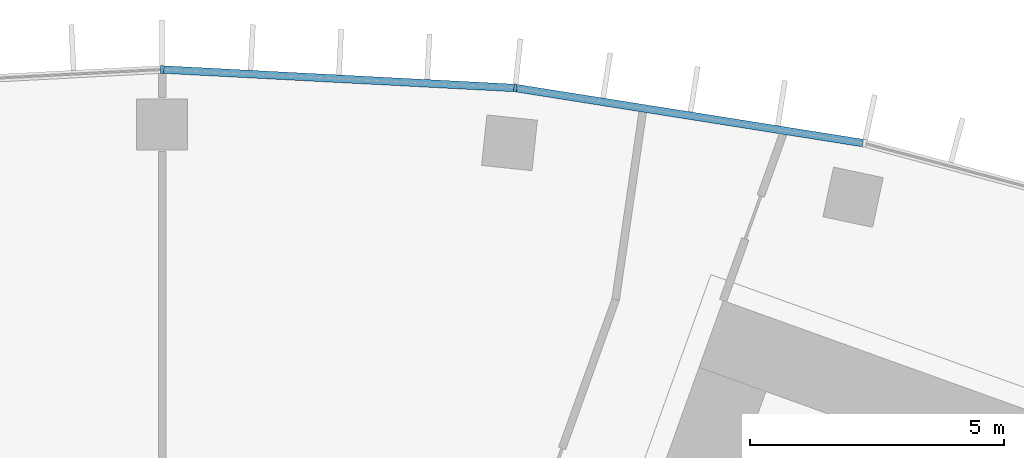
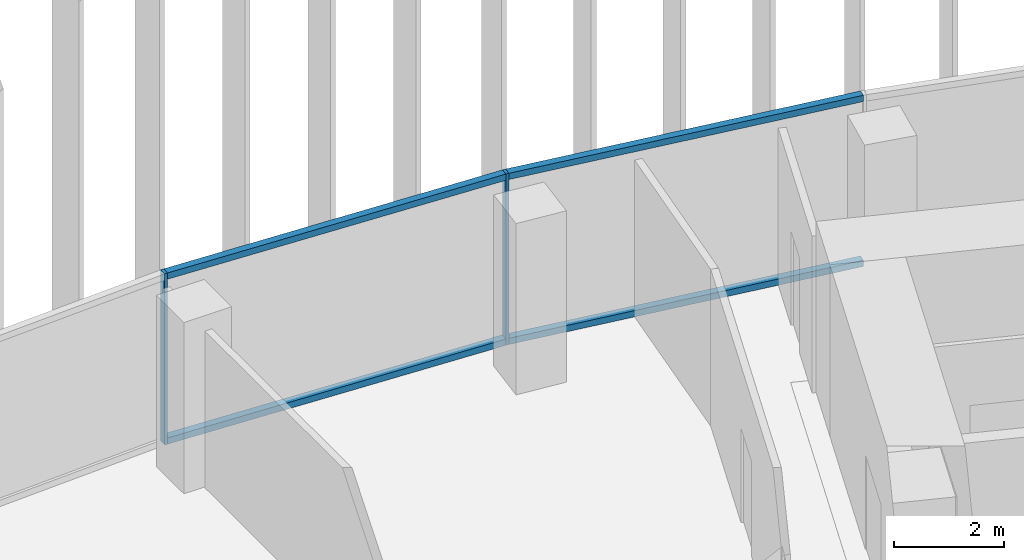
# One storey, part 8 of 23: 6 members, 1 element without a shape of its own.
"""IFC4 building model written with IfcOpenShell, lengths in metres."""

from ifc_helpers import new_model, si_unit, direction, frame, origin, origin_2d, place, context, subcontext, project, spatial, rectangle, extrude, material, layer, layer_set, material_profile, profile_set, type_object, element, aggregate, save


model = new_model("IFC4")

# Units and contexts
model_context = context("Model", 3, precision=1e-05, world=origin(), true_north=direction((0.0, 1.0)))
body_context = subcontext(model_context, "Body", "Model", "MODEL_VIEW")
ifc_project = project(units=[si_unit("LENGTHUNIT", "METRE"), si_unit("AREAUNIT", "SQUARE_METRE"), si_unit("VOLUMEUNIT", "CUBIC_METRE"), si_unit("PLANEANGLEUNIT", "RADIAN"), si_unit("MASSUNIT", "GRAM", prefix="KILO")], contexts=[model_context])

# Site, building, storey
site_placement = place(None, origin())
site = spatial("IfcSite", under=ifc_project, at=site_placement, CompositionType="ELEMENT")
building_placement = place(site_placement, origin())
building = spatial("IfcBuilding", under=site, at=building_placement, Name="Stone Belt Terrace Tower", CompositionType="ELEMENT")
storey_placement = place(building_placement, frame((0.0, 0.0, 178.199951171875)))
storey = spatial("IfcBuildingStorey", under=building, at=storey_placement, Name="L43", CompositionType="ELEMENT", Elevation=178.199951171875)

# Curtain wall, members
ifc_material = material(Name="Aluminium 6063-T6 anodised frame", Category="aluminium")
ifc_layer = layer(ifc_material, 0.14990234375)
ifc_layer_set = layer_set([ifc_layer], Name="CW-A unitised convex-face curtain wall")
curtain_wall_type = type_object("IfcCurtainWallType", Name="CW-A unitised convex-face curtain wall", PredefinedType="NOTDEFINED", material=ifc_layer_set)
curtain_wall_placement = place(storey_placement, origin())
curtain_wall = element("IfcCurtainWall", 1, at=curtain_wall_placement, inside=storey, type_object=curtain_wall_type, Name="CW-A convex face L43", PredefinedType="NOTDEFINED")
ifc_material_profile_1 = material_profile(ifc_material, rectangle(XDim=0.14990234375, YDim=0.06005859375, at=origin_2d()), Name="Aluminium 6063-T6 60x150")
ifc_profile_set_1 = profile_set([ifc_material_profile_1], Name="Aluminium 6063-T6 anodised frame")
member_type_1 = type_object("IfcMemberType", Name="CW-A mullion 60 x 150", PredefinedType="MULLION", material=ifc_profile_set_1)
member_1_placement = place(storey_placement, frame((6.958984375, 66.21044921875, 0.0), z_axis=(0.0, 0.0, 1.0), x_axis=(-0.104528463268, -0.994521895368, 0.0)))
member_1 = element("IfcMember", 2, at=member_1_placement, type_object=member_type_1, Name="CW-A mullion 7", PredefinedType="MULLION", context=body_context, shape_type="SweptSolid", body=[
    extrude(rectangle(XDim=0.14990234375, YDim=0.06005859375, at=origin_2d()), origin(), (0.0, 0.0, 1.0), 3.800048828125),
])
member_2_placement = place(storey_placement, frame((0.0, 66.5751953125, 0.0), z_axis=(0.0, 0.0, 1.0), x_axis=(0.0, -1.0, 0.0)))
member_2 = element("IfcMember", 3, at=member_2_placement, type_object=member_type_1, Name="CW-A mullion 8", PredefinedType="MULLION", context=body_context, shape_type="SweptSolid", body=[
    extrude(rectangle(XDim=0.14990234375, YDim=0.06005859375, at=origin_2d()), origin(), (0.0, 0.0, 1.0), 3.800048828125),
])
ifc_material_profile_2 = material_profile(ifc_material, rectangle(XDim=0.14990234375, YDim=0.139892578125, at=origin_2d()), Name="Aluminium 6063-T6 150x140")
ifc_profile_set_2 = profile_set([ifc_material_profile_2], Name="Aluminium 6063-T6 anodised frame")
member_type_2 = type_object("IfcMemberType", Name="CW-A transom 140 x 150", PredefinedType="USERDEFINED", material=ifc_profile_set_2)
member_3_placement = place(storey_placement, frame((13.808349609375, 65.12548828125, 0.070068359375), z_axis=(-0.987687120531, 0.156442168027, 0.0), x_axis=(-0.156442168027, -0.987687120531, 0.0)))
member_3 = element("IfcMember", 4, at=member_3_placement, type_object=member_type_2, Name="CW-A transom 6.1", ObjectType="TRANSOM", PredefinedType="USERDEFINED", context=body_context, shape_type="SweptSolid", body=[
    extrude(rectangle(XDim=0.14990234375, YDim=0.139892578125, at=origin_2d()), origin(), (0.0, 0.0, 1.0), 6.90087890625),
])
member_4_placement = place(storey_placement, frame((13.808349609375, 65.12548828125, 3.72998046875), z_axis=(-0.987687120531, 0.156442168027, 0.0), x_axis=(-0.156442168027, -0.987687120531, 0.0)))
member_4 = element("IfcMember", 5, at=member_4_placement, type_object=member_type_2, Name="CW-A transom 6.2", ObjectType="TRANSOM", PredefinedType="USERDEFINED", context=body_context, shape_type="SweptSolid", body=[
    extrude(rectangle(XDim=0.14990234375, YDim=0.139892578125, at=origin_2d()), origin(), (0.0, 0.0, 1.0), 6.90087890625),
])
member_5_placement = place(storey_placement, frame((6.925048828125, 66.212158203125, 0.070068359375), z_axis=(-0.998630019135, 0.052326712899, 0.0), x_axis=(-0.052326712899, -0.998630019135, 0.0)))
member_5 = element("IfcMember", 6, at=member_5_placement, type_object=member_type_2, Name="CW-A transom 7.1", ObjectType="TRANSOM", PredefinedType="USERDEFINED", context=body_context, shape_type="SweptSolid", body=[
    extrude(rectangle(XDim=0.14990234375, YDim=0.139892578125, at=origin_2d()), origin(), (0.0, 0.0, 1.0), 6.900634765625),
])
member_6_placement = place(storey_placement, frame((6.925048828125, 66.212158203125, 3.72998046875), z_axis=(-0.998630019135, 0.052326712899, 0.0), x_axis=(-0.052326712899, -0.998630019135, 0.0)))
member_6 = element("IfcMember", 7, at=member_6_placement, type_object=member_type_2, Name="CW-A transom 7.2", ObjectType="TRANSOM", PredefinedType="USERDEFINED", context=body_context, shape_type="SweptSolid", body=[
    extrude(rectangle(XDim=0.14990234375, YDim=0.139892578125, at=origin_2d()), origin(), (0.0, 0.0, 1.0), 6.900634765625),
])
aggregate(curtain_wall, [member_1, member_2, member_3, member_4, member_5, member_6])

save(model, "model.ifc")
